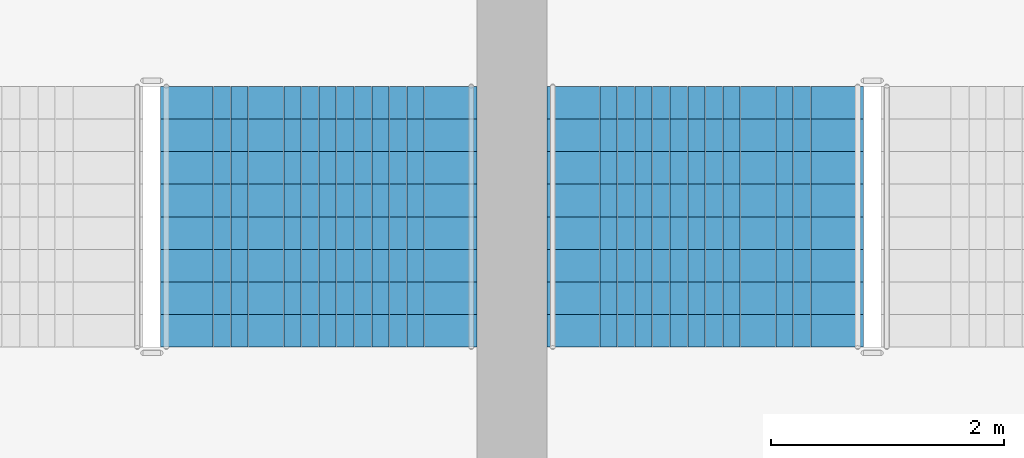
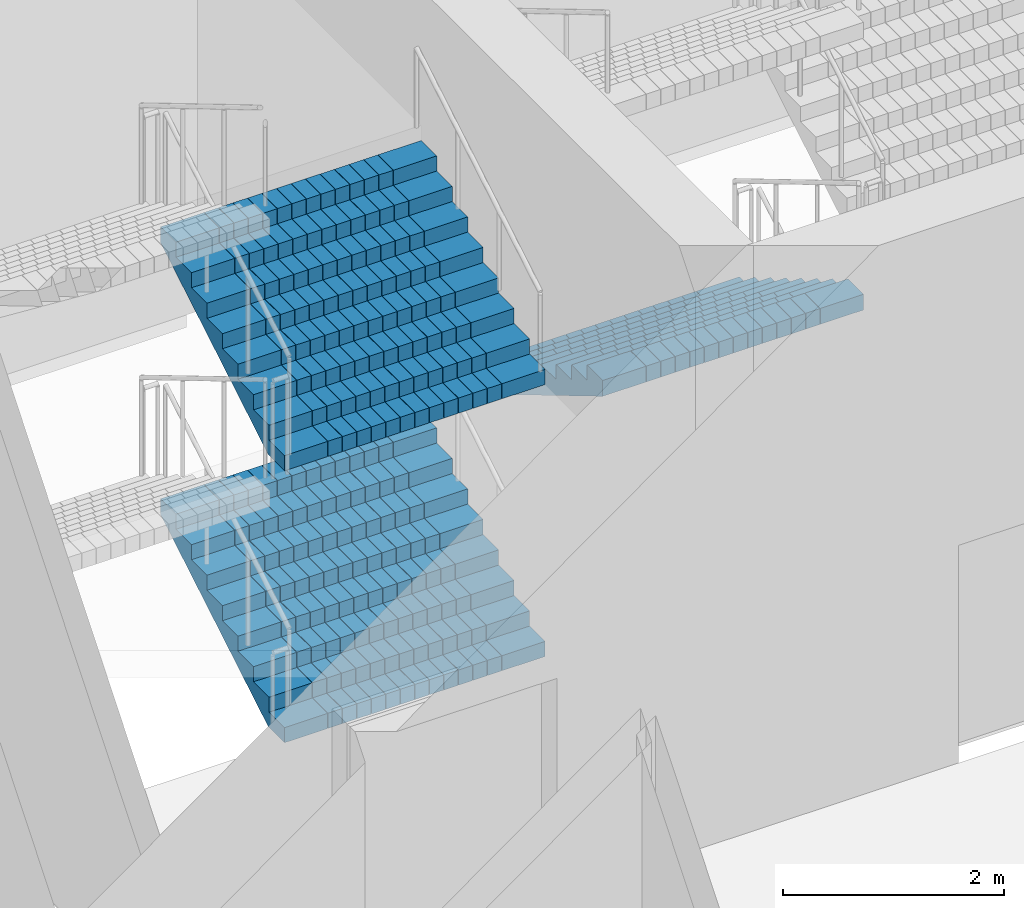
# One storey, part 27 of 41: 3 stair flights, 2 elements without a shape of their own.
"""IFC4 building model written with IfcOpenShell, lengths in metres."""

import ifcopenshell
import ifcopenshell.guid

model = None  # the IFC model being written
_history = None  # IfcOwnerHistory: only IFC2X3 demands one
_inside = {}  # id of a spatial element -> (the spatial element, [elements in it])
_under = {}  # id of a project, library or spatial element -> (it, [spatial elements below it])
_declared = {}  # id of a project -> (the project, [libraries it declares])
_typed = {}  # id of a type object -> (the type object, [elements of that type])
_made_of = {}  # id of a material, layer set ... -> (it, [elements and type objects made of it])


def new_model(schema):
    """Start an empty IFC model of exactly this schema.

    Asked for "IFC4X3", IfcOpenShell would pick the latest addendum, in which some entities
    have other attributes; the version numbers below select the first issue.
    IFC2X3 requires an IfcOwnerHistory on every rooted entity: one is made here for all.
    """
    global model, _history
    if schema == "IFC4X3":
        model = ifcopenshell.file(schema_version=(4, 3, 0, 0))
    else:
        model = ifcopenshell.file(schema=schema)
    _inside.clear()
    _under.clear()
    _declared.clear()
    _typed.clear()
    _made_of.clear()
    _history = None
    if model.schema == "IFC2X3":
        org = make("IfcOrganization", Name="unknown")
        user = make(
            "IfcPersonAndOrganization",
            ThePerson=make("IfcPerson", FamilyName="unknown"),
            TheOrganization=org,
        )
        app = make(
            "IfcApplication",
            ApplicationDeveloper=org,
            Version="unknown",
            ApplicationFullName="unknown",
            ApplicationIdentifier="unknown",
        )
        _history = make(
            "IfcOwnerHistory",
            OwningUser=user,
            OwningApplication=app,
            ChangeAction="ADDED",
            CreationDate=0,
        )
    return model


def make(cls, **values):
    """One entity of the class cls with the attributes given. An attribute that is None is left unset."""
    return model.create_entity(
        cls, **{name: value for name, value in values.items() if value is not None}
    )


def rooted(cls, **values):
    """An entity with a GlobalId (a new one), such as an element, a storey or a relation."""
    return make(cls, GlobalId=ifcopenshell.guid.new(), OwnerHistory=_history, **values)


def si_unit(unit_type, name, prefix=None):
    """IfcSIUnit, for example si_unit("LENGTHUNIT", "METRE", prefix="MILLI")."""
    return make("IfcSIUnit", UnitType=unit_type, Prefix=prefix, Name=name)


def assignment(units):
    """IfcUnitAssignment: the units of a project."""
    return None if units is None else make("IfcUnitAssignment", Units=units)


def point(xyz):
    """IfcCartesianPoint."""
    return None if xyz is None else make("IfcCartesianPoint", Coordinates=xyz)


def direction(xyz):
    """IfcDirection."""
    return None if xyz is None else make("IfcDirection", DirectionRatios=xyz)


def frame(location, z_axis=None, x_axis=None):
    """IfcAxis2Placement3D, a coordinate frame: its origin and axes. An axis left out is left unset."""
    return make(
        "IfcAxis2Placement3D",
        Location=point(location),
        Axis=direction(z_axis),
        RefDirection=direction(x_axis),
    )


def origin():
    """The frame at (0, 0, 0) with its axes left unset."""
    return frame((0.0, 0.0, 0.0))


def place(relative_to, where):
    """IfcLocalPlacement: puts the frame where relative to a parent placement (None: the world)."""
    return make(
        "IfcLocalPlacement", PlacementRelTo=relative_to, RelativePlacement=where
    )


def context(
    kind, dimensions, precision=None, world=None, true_north=None, identifier=None
):
    """IfcGeometricRepresentationContext, for example the 3D "Model" context."""
    return make(
        "IfcGeometricRepresentationContext",
        ContextIdentifier=identifier,
        ContextType=kind,
        CoordinateSpaceDimension=dimensions,
        Precision=precision,
        WorldCoordinateSystem=world,
        TrueNorth=true_north,
    )


def subcontext(parent, identifier, kind, view, scale=None):
    """IfcGeometricRepresentationSubContext, for example "Body" below "Model"."""
    return make(
        "IfcGeometricRepresentationSubContext",
        ContextIdentifier=identifier,
        ContextType=kind,
        ParentContext=parent,
        TargetScale=scale,
        TargetView=view,
    )


def project(units=None, contexts=None):
    """IfcProject with its units and contexts."""
    return rooted(
        "IfcProject",
        Name="project",
        RepresentationContexts=contexts,
        UnitsInContext=assignment(units),
    )


def spatial(cls, under=None, at=None, **own):
    """A site, building, storey or space (cls), placed at a placement, below another one or the project."""
    s = rooted(cls, ObjectPlacement=at, **own)
    if under is not None:
        _under.setdefault(under.id(), (under, []))[1].append(s)
    return s


def polyline(points):
    """IfcPolyline through the points."""
    return make("IfcPolyline", Points=[point(p) for p in points])


def outline(outer, holes=None, kind="AREA"):
    """IfcArbitraryClosedProfileDef: a profile drawn as a closed curve; with holes, ...WithVoids."""
    if holes is None:
        return make("IfcArbitraryClosedProfileDef", ProfileType=kind, OuterCurve=outer)
    return make(
        "IfcArbitraryProfileDefWithVoids",
        ProfileType=kind,
        OuterCurve=outer,
        InnerCurves=holes,
    )


def extrude(swept, where, along, depth):
    """IfcExtrudedAreaSolid: the profile swept, set in the frame where, extruded along a direction by depth."""
    return make(
        "IfcExtrudedAreaSolid",
        SweptArea=swept,
        Position=where,
        ExtrudedDirection=direction(along),
        Depth=depth,
    )


def shape(context_of_items, identifier, shape_type, items):
    """IfcShapeRepresentation: the items that make up one representation, for example the "Body"."""
    return make(
        "IfcShapeRepresentation",
        ContextOfItems=context_of_items,
        RepresentationIdentifier=identifier,
        RepresentationType=shape_type,
        Items=items,
    )


def material(Name=None, Category=None):
    """IfcMaterial."""
    return make("IfcMaterial", Name=Name, Category=Category)


def made_of(thing, what):
    """Note that an element or type object is made of a material, layer set ...; save() writes the relation."""
    if what is not None:
        _made_of.setdefault(what.id(), (what, []))[1].append(thing)
    return thing


def type_object(cls, material=None, **own):
    """A type object (cls), such as IfcWallType, which elements share."""
    return made_of(rooted(cls, **own), material)


def element(
    cls,
    number,
    at=None,
    inside=None,
    cuts=None,
    type_object=None,
    material=None,
    context=None,
    identifier="Body",
    shape_type=None,
    held_by="IfcProductDefinitionShape",
    body=None,
    shapes=None,
    **own,
):
    """One element of the class cls, such as IfcWall. Its Tag is "e" and its number.

    at: its placement. inside: the storey or other place that contains it. cuts: it is an
    opening in that element (IfcRelVoidsElement). A single representation is given by context,
    identifier, shape_type and body (its items); several are given by shapes. held_by: the class
    of the entity that holds the representations. save() writes the other relations.
    """
    e = rooted(cls, Tag="e%d" % number, ObjectPlacement=at, **own)
    if body is not None:
        shapes = [shape(context, identifier, shape_type, body)]
    if shapes is not None:
        e.Representation = make(held_by, Representations=shapes)
    if inside is not None:
        _inside.setdefault(inside.id(), (inside, []))[1].append(e)
    if cuts is not None:
        rooted(
            "IfcRelVoidsElement", RelatingBuildingElement=cuts, RelatedOpeningElement=e
        )
    if type_object is not None:
        _typed.setdefault(type_object.id(), (type_object, []))[1].append(e)
    return made_of(e, material)


def aggregate(whole, parts):
    """IfcRelAggregates: a whole, such as a stair, and the parts it consists of."""
    return rooted("IfcRelAggregates", RelatingObject=whole, RelatedObjects=parts)


def save(model, path):
    """Write the relations noted so far, then the file.

    IfcRelAggregates (storeys below a building ...), IfcRelContainedInSpatialStructure (elements
    in a storey), IfcRelDefinesByType, IfcRelAssociatesMaterial and IfcRelDeclares: one each for
    every whole, place, type object, material and project.
    """
    for whole, parts in _under.values():
        aggregate(whole, parts)
    for where, things in _inside.values():
        rooted(
            "IfcRelContainedInSpatialStructure",
            RelatedElements=things,
            RelatingStructure=where,
        )
    for kind, things in _typed.values():
        rooted("IfcRelDefinesByType", RelatedObjects=things, RelatingType=kind)
    for what, things in _made_of.values():
        rooted("IfcRelAssociatesMaterial", RelatedObjects=things, RelatingMaterial=what)
    for by, libraries in _declared.values():
        rooted("IfcRelDeclares", RelatingContext=by, RelatedDefinitions=libraries)
    model.write(path)


model = new_model("IFC4")

# Units and contexts
model_context = context("Model", 3, precision=1e-05, world=origin(), true_north=direction((0.0, 1.0)))
body_context = subcontext(model_context, "Body", "Model", "MODEL_VIEW")
ifc_project = project(units=[si_unit("LENGTHUNIT", "METRE"), si_unit("AREAUNIT", "SQUARE_METRE"), si_unit("VOLUMEUNIT", "CUBIC_METRE"), si_unit("PLANEANGLEUNIT", "RADIAN"), si_unit("MASSUNIT", "GRAM", prefix="KILO")], contexts=[model_context])

# Site, building, storey
site_placement = place(None, origin())
site = spatial("IfcSite", under=ifc_project, at=site_placement, CompositionType="ELEMENT")
building_placement = place(site_placement, origin())
building = spatial("IfcBuilding", under=site, at=building_placement, Name="Corbelhall Arena Tower", CompositionType="ELEMENT")
storey_placement = place(building_placement, frame((0.0, 0.0, 19.0)))
storey = spatial("IfcBuildingStorey", under=building, at=storey_placement, Name="L02", CompositionType="ELEMENT", Elevation=19.0)

# Stair, stair flight
ifc_material = material(Name="Reinforced concrete C40/50", Category="concrete")
stair_type = type_object("IfcStairType", Name="AR-EXIT-STAIR", PredefinedType="HALF_TURN_STAIR", material=ifc_material)
stair_1_placement = place(storey_placement, origin())
stair_1 = element("IfcStair", 1, at=stair_1_placement, inside=storey, type_object=stair_type, Name="L02 exit stair AS3", PredefinedType="HALF_TURN_STAIR")
stair_flight_type = type_object("IfcStairFlightType", Name="AR-EXIT-FLIGHT", PredefinedType="STRAIGHT", material=ifc_material)
stair_flight_1_placement = place(storey_placement, frame((-38.840087890625, 29.56005859375, 1.5), z_axis=(0.0, 0.0, 1.0), x_axis=(0.0, -1.0, 0.0)))
stair_flight_1 = element("IfcStairFlight", 2, at=stair_flight_1_placement, type_object=stair_flight_type, Name="AS3 flight 2", NumberOfRisers=9, NumberOfTreads=8, PredefinedType="STRAIGHT", RiserHeight=0.166666667, TreadLength=0.28, context=body_context, shape_type="SweptSolid", body=[
    extrude(outline(polyline([(0.0, 0.0), (0.0, 0.166748046875), (0.280029296875, 0.166748046875), (0.280029296875, 0.333251953125), (0.56005859375, 0.333251953125), (0.56005859375, 0.5), (0.840087890625, 0.5), (0.840087890625, 0.666748046875), (1.1201171875, 0.666748046875), (1.1201171875, 0.833251953125), (1.39990234375, 0.833251953125), (1.39990234375, 1.0), (1.679931640625, 1.0), (1.679931640625, 1.166748046875), (1.9599609375, 1.166748046875), (1.9599609375, 1.333251953125), (2.239990234375, 1.333251953125), (2.239990234375, 1.5), (2.239990234375, 1.158935546875), (0.29296875, 0.0), (0.0, 0.0)])), frame((0.0, 1.35986328125, 0.0), z_axis=(0.0, -1.0, 0.0), x_axis=(1.0, 0.0, 0.0)), (0.0, 0.0, 1.0), 0.449951171875),
    extrude(outline(polyline([(0.0, 0.0), (0.0, 0.166748046875), (0.280029296875, 0.166748046875), (0.280029296875, 0.333251953125), (0.56005859375, 0.333251953125), (0.56005859375, 0.5), (0.840087890625, 0.5), (0.840087890625, 0.666748046875), (1.1201171875, 0.666748046875), (1.1201171875, 0.833251953125), (1.39990234375, 0.833251953125), (1.39990234375, 1.0), (1.679931640625, 1.0), (1.679931640625, 1.166748046875), (1.9599609375, 1.166748046875), (1.9599609375, 1.333251953125), (2.239990234375, 1.333251953125), (2.239990234375, 1.5), (2.239990234375, 1.158935546875), (0.29296875, 0.0), (0.0, 0.0)])), frame((0.0, 0.906005859375, 0.0), z_axis=(0.0, -1.0, 0.0), x_axis=(1.0, 0.0, 0.0)), (0.0, 0.0, 1.0), 0.147216796875),
    extrude(outline(polyline([(0.0, 0.0), (0.0, 0.166748046875), (0.280029296875, 0.166748046875), (0.280029296875, 0.333251953125), (0.56005859375, 0.333251953125), (0.56005859375, 0.5), (0.840087890625, 0.5), (0.840087890625, 0.666748046875), (1.1201171875, 0.666748046875), (1.1201171875, 0.833251953125), (1.39990234375, 0.833251953125), (1.39990234375, 1.0), (1.679931640625, 1.0), (1.679931640625, 1.166748046875), (1.9599609375, 1.166748046875), (1.9599609375, 1.333251953125), (2.239990234375, 1.333251953125), (2.239990234375, 1.5), (2.239990234375, 1.158935546875), (0.29296875, 0.0), (0.0, 0.0)])), frame((0.0, 0.754638671875, 0.0), z_axis=(0.0, -1.0, 0.0), x_axis=(1.0, 0.0, 0.0)), (0.0, 0.0, 1.0), 0.147216796875),
    extrude(outline(polyline([(0.0, 0.0), (0.0, 0.166748046875), (0.280029296875, 0.166748046875), (0.280029296875, 0.333251953125), (0.56005859375, 0.333251953125), (0.56005859375, 0.5), (0.840087890625, 0.5), (0.840087890625, 0.666748046875), (1.1201171875, 0.666748046875), (1.1201171875, 0.833251953125), (1.39990234375, 0.833251953125), (1.39990234375, 1.0), (1.679931640625, 1.0), (1.679931640625, 1.166748046875), (1.9599609375, 1.166748046875), (1.9599609375, 1.333251953125), (2.239990234375, 1.333251953125), (2.239990234375, 1.5), (2.239990234375, 1.158935546875), (0.29296875, 0.0), (0.0, 0.0)])), frame((0.0, 0.603271484375, 0.0), z_axis=(0.0, -1.0, 0.0), x_axis=(1.0, 0.0, 0.0)), (0.0, 0.0, 1.0), 0.147216796875),
    extrude(outline(polyline([(0.0, 0.0), (0.0, 0.166748046875), (0.280029296875, 0.166748046875), (0.280029296875, 0.333251953125), (0.56005859375, 0.333251953125), (0.56005859375, 0.5), (0.840087890625, 0.5), (0.840087890625, 0.666748046875), (1.1201171875, 0.666748046875), (1.1201171875, 0.833251953125), (1.39990234375, 0.833251953125), (1.39990234375, 1.0), (1.679931640625, 1.0), (1.679931640625, 1.166748046875), (1.9599609375, 1.166748046875), (1.9599609375, 1.333251953125), (2.239990234375, 1.333251953125), (2.239990234375, 1.5), (2.239990234375, 1.158935546875), (0.29296875, 0.0), (0.0, 0.0)])), frame((0.0, 0.451904296875, 0.0), z_axis=(0.0, -1.0, 0.0), x_axis=(1.0, 0.0, 0.0)), (0.0, 0.0, 1.0), 0.147216796875),
    extrude(outline(polyline([(0.0, 0.0), (0.0, 0.166748046875), (0.280029296875, 0.166748046875), (0.280029296875, 0.333251953125), (0.56005859375, 0.333251953125), (0.56005859375, 0.5), (0.840087890625, 0.5), (0.840087890625, 0.666748046875), (1.1201171875, 0.666748046875), (1.1201171875, 0.833251953125), (1.39990234375, 0.833251953125), (1.39990234375, 1.0), (1.679931640625, 1.0), (1.679931640625, 1.166748046875), (1.9599609375, 1.166748046875), (1.9599609375, 1.333251953125), (2.239990234375, 1.333251953125), (2.239990234375, 1.5), (2.239990234375, 1.158935546875), (0.29296875, 0.0), (0.0, 0.0)])), frame((0.0, 0.30078125, 0.0), z_axis=(0.0, -1.0, 0.0), x_axis=(1.0, 0.0, 0.0)), (0.0, 0.0, 1.0), 0.147216796875),
    extrude(outline(polyline([(0.0, 0.0), (0.0, 0.166748046875), (0.280029296875, 0.166748046875), (0.280029296875, 0.333251953125), (0.56005859375, 0.333251953125), (0.56005859375, 0.5), (0.840087890625, 0.5), (0.840087890625, 0.666748046875), (1.1201171875, 0.666748046875), (1.1201171875, 0.833251953125), (1.39990234375, 0.833251953125), (1.39990234375, 1.0), (1.679931640625, 1.0), (1.679931640625, 1.166748046875), (1.9599609375, 1.166748046875), (1.9599609375, 1.333251953125), (2.239990234375, 1.333251953125), (2.239990234375, 1.5), (2.239990234375, 1.158935546875), (0.29296875, 0.0), (0.0, 0.0)])), frame((0.0, 0.1494140625, 0.0), z_axis=(0.0, -1.0, 0.0), x_axis=(1.0, 0.0, 0.0)), (0.0, 0.0, 1.0), 0.147216796875),
    extrude(outline(polyline([(0.0, 0.0), (0.0, 0.166748046875), (0.280029296875, 0.166748046875), (0.280029296875, 0.333251953125), (0.56005859375, 0.333251953125), (0.56005859375, 0.5), (0.840087890625, 0.5), (0.840087890625, 0.666748046875), (1.1201171875, 0.666748046875), (1.1201171875, 0.833251953125), (1.39990234375, 0.833251953125), (1.39990234375, 1.0), (1.679931640625, 1.0), (1.679931640625, 1.166748046875), (1.9599609375, 1.166748046875), (1.9599609375, 1.333251953125), (2.239990234375, 1.333251953125), (2.239990234375, 1.5), (2.239990234375, 1.158935546875), (0.29296875, 0.0), (0.0, 0.0)])), frame((0.0, -0.001953125, 0.0), z_axis=(0.0, -1.0, 0.0), x_axis=(1.0, 0.0, 0.0)), (0.0, 0.0, 1.0), 0.147216796875),
    extrude(outline(polyline([(0.0, 0.0), (0.0, 0.166748046875), (0.280029296875, 0.166748046875), (0.280029296875, 0.333251953125), (0.56005859375, 0.333251953125), (0.56005859375, 0.5), (0.840087890625, 0.5), (0.840087890625, 0.666748046875), (1.1201171875, 0.666748046875), (1.1201171875, 0.833251953125), (1.39990234375, 0.833251953125), (1.39990234375, 1.0), (1.679931640625, 1.0), (1.679931640625, 1.166748046875), (1.9599609375, 1.166748046875), (1.9599609375, 1.333251953125), (2.239990234375, 1.333251953125), (2.239990234375, 1.5), (2.239990234375, 1.158935546875), (0.29296875, 0.0), (0.0, 0.0)])), frame((0.0, -0.1533203125, 0.0), z_axis=(0.0, -1.0, 0.0), x_axis=(1.0, 0.0, 0.0)), (0.0, 0.0, 1.0), 0.147216796875),
    extrude(outline(polyline([(0.0, 0.0), (0.0, 0.166748046875), (0.280029296875, 0.166748046875), (0.280029296875, 0.333251953125), (0.56005859375, 0.333251953125), (0.56005859375, 0.5), (0.840087890625, 0.5), (0.840087890625, 0.666748046875), (1.1201171875, 0.666748046875), (1.1201171875, 0.833251953125), (1.39990234375, 0.833251953125), (1.39990234375, 1.0), (1.679931640625, 1.0), (1.679931640625, 1.166748046875), (1.9599609375, 1.166748046875), (1.9599609375, 1.333251953125), (2.239990234375, 1.333251953125), (2.239990234375, 1.5), (2.239990234375, 1.158935546875), (0.29296875, 0.0), (0.0, 0.0)])), frame((0.0, -0.3046875, 0.0), z_axis=(0.0, -1.0, 0.0), x_axis=(1.0, 0.0, 0.0)), (0.0, 0.0, 1.0), 0.147216796875),
    extrude(outline(polyline([(0.0, 0.0), (0.0, 0.166748046875), (0.280029296875, 0.166748046875), (0.280029296875, 0.333251953125), (0.56005859375, 0.333251953125), (0.56005859375, 0.5), (0.840087890625, 0.5), (0.840087890625, 0.666748046875), (1.1201171875, 0.666748046875), (1.1201171875, 0.833251953125), (1.39990234375, 0.833251953125), (1.39990234375, 1.0), (1.679931640625, 1.0), (1.679931640625, 1.166748046875), (1.9599609375, 1.166748046875), (1.9599609375, 1.333251953125), (2.239990234375, 1.333251953125), (2.239990234375, 1.5), (2.239990234375, 1.158935546875), (0.29296875, 0.0), (0.0, 0.0)])), frame((0.0, -0.4560546875, 0.0), z_axis=(0.0, -1.0, 0.0), x_axis=(1.0, 0.0, 0.0)), (0.0, 0.0, 1.0), 0.147216796875),
    extrude(outline(polyline([(0.0, 0.0), (0.0, 0.166748046875), (0.280029296875, 0.166748046875), (0.280029296875, 0.333251953125), (0.56005859375, 0.333251953125), (0.56005859375, 0.5), (0.840087890625, 0.5), (0.840087890625, 0.666748046875), (1.1201171875, 0.666748046875), (1.1201171875, 0.833251953125), (1.39990234375, 0.833251953125), (1.39990234375, 1.0), (1.679931640625, 1.0), (1.679931640625, 1.166748046875), (1.9599609375, 1.166748046875), (1.9599609375, 1.333251953125), (2.239990234375, 1.333251953125), (2.239990234375, 1.5), (2.239990234375, 1.158935546875), (0.29296875, 0.0), (0.0, 0.0)])), frame((0.0, -0.607421875, 0.0), z_axis=(0.0, -1.0, 0.0), x_axis=(1.0, 0.0, 0.0)), (0.0, 0.0, 1.0), 0.147216796875),
    extrude(outline(polyline([(0.0, 0.0), (0.0, 0.166748046875), (0.280029296875, 0.166748046875), (0.280029296875, 0.333251953125), (0.56005859375, 0.333251953125), (0.56005859375, 0.5), (0.840087890625, 0.5), (0.840087890625, 0.666748046875), (1.1201171875, 0.666748046875), (1.1201171875, 0.833251953125), (1.39990234375, 0.833251953125), (1.39990234375, 1.0), (1.679931640625, 1.0), (1.679931640625, 1.166748046875), (1.9599609375, 1.166748046875), (1.9599609375, 1.333251953125), (2.239990234375, 1.333251953125), (2.239990234375, 1.5), (2.239990234375, 1.158935546875), (0.29296875, 0.0), (0.0, 0.0)])), frame((0.0, -0.758544921875, 0.0), z_axis=(0.0, -1.0, 0.0), x_axis=(1.0, 0.0, 0.0)), (0.0, 0.0, 1.0), 0.147216796875),
    extrude(outline(polyline([(0.0, 0.0), (0.0, 0.166748046875), (0.280029296875, 0.166748046875), (0.280029296875, 0.333251953125), (0.56005859375, 0.333251953125), (0.56005859375, 0.5), (0.840087890625, 0.5), (0.840087890625, 0.666748046875), (1.1201171875, 0.666748046875), (1.1201171875, 0.833251953125), (1.39990234375, 0.833251953125), (1.39990234375, 1.0), (1.679931640625, 1.0), (1.679931640625, 1.166748046875), (1.9599609375, 1.166748046875), (1.9599609375, 1.333251953125), (2.239990234375, 1.333251953125), (2.239990234375, 1.5), (2.239990234375, 1.158935546875), (0.29296875, 0.0), (0.0, 0.0)])), frame((0.0, -0.909912109375, 0.0), z_axis=(0.0, -1.0, 0.0), x_axis=(1.0, 0.0, 0.0)), (0.0, 0.0, 1.0), 0.449951171875),
])
aggregate(stair_1, [stair_flight_1])

# Stair, stair flights
stair_2_placement = place(storey_placement, origin())
stair_2 = element("IfcStair", 3, at=stair_2_placement, inside=storey, type_object=stair_type, Name="L02 exit stair AS4", PredefinedType="HALF_TURN_STAIR")
stair_flight_2_placement = place(storey_placement, frame((-42.159912109375, 27.320068359375, 0.0), z_axis=(0.0, 0.0, 1.0), x_axis=(0.0, 1.0, 0.0)))
stair_flight_2 = element("IfcStairFlight", 4, at=stair_flight_2_placement, type_object=stair_flight_type, Name="AS4 flight 1", NumberOfRisers=9, NumberOfTreads=8, PredefinedType="STRAIGHT", RiserHeight=0.166666667, TreadLength=0.28, context=body_context, shape_type="SweptSolid", body=[
    extrude(outline(polyline([(0.0, 0.0), (0.0, 0.166748046875), (0.280029296875, 0.166748046875), (0.280029296875, 0.333251953125), (0.56005859375, 0.333251953125), (0.56005859375, 0.5), (0.840087890625, 0.5), (0.840087890625, 0.666748046875), (1.1201171875, 0.666748046875), (1.1201171875, 0.833251953125), (1.39990234375, 0.833251953125), (1.39990234375, 1.0), (1.679931640625, 1.0), (1.679931640625, 1.166748046875), (1.9599609375, 1.166748046875), (1.9599609375, 1.333251953125), (2.239990234375, 1.333251953125), (2.239990234375, 1.5), (2.239990234375, 1.158935546875), (0.29296875, 0.0), (0.0, 0.0)])), frame((0.0, 1.35986328125, 0.0), z_axis=(0.0, -1.0, 0.0), x_axis=(1.0, 0.0, 0.0)), (0.0, 0.0, 1.0), 0.449951171875),
    extrude(outline(polyline([(0.0, 0.0), (0.0, 0.166748046875), (0.280029296875, 0.166748046875), (0.280029296875, 0.333251953125), (0.56005859375, 0.333251953125), (0.56005859375, 0.5), (0.840087890625, 0.5), (0.840087890625, 0.666748046875), (1.1201171875, 0.666748046875), (1.1201171875, 0.833251953125), (1.39990234375, 0.833251953125), (1.39990234375, 1.0), (1.679931640625, 1.0), (1.679931640625, 1.166748046875), (1.9599609375, 1.166748046875), (1.9599609375, 1.333251953125), (2.239990234375, 1.333251953125), (2.239990234375, 1.5), (2.239990234375, 1.158935546875), (0.29296875, 0.0), (0.0, 0.0)])), frame((0.0, 0.906005859375, 0.0), z_axis=(0.0, -1.0, 0.0), x_axis=(1.0, 0.0, 0.0)), (0.0, 0.0, 1.0), 0.147216796875),
    extrude(outline(polyline([(0.0, 0.0), (0.0, 0.166748046875), (0.280029296875, 0.166748046875), (0.280029296875, 0.333251953125), (0.56005859375, 0.333251953125), (0.56005859375, 0.5), (0.840087890625, 0.5), (0.840087890625, 0.666748046875), (1.1201171875, 0.666748046875), (1.1201171875, 0.833251953125), (1.39990234375, 0.833251953125), (1.39990234375, 1.0), (1.679931640625, 1.0), (1.679931640625, 1.166748046875), (1.9599609375, 1.166748046875), (1.9599609375, 1.333251953125), (2.239990234375, 1.333251953125), (2.239990234375, 1.5), (2.239990234375, 1.158935546875), (0.29296875, 0.0), (0.0, 0.0)])), frame((0.0, 0.754638671875, 0.0), z_axis=(0.0, -1.0, 0.0), x_axis=(1.0, 0.0, 0.0)), (0.0, 0.0, 1.0), 0.147216796875),
    extrude(outline(polyline([(0.0, 0.0), (0.0, 0.166748046875), (0.280029296875, 0.166748046875), (0.280029296875, 0.333251953125), (0.56005859375, 0.333251953125), (0.56005859375, 0.5), (0.840087890625, 0.5), (0.840087890625, 0.666748046875), (1.1201171875, 0.666748046875), (1.1201171875, 0.833251953125), (1.39990234375, 0.833251953125), (1.39990234375, 1.0), (1.679931640625, 1.0), (1.679931640625, 1.166748046875), (1.9599609375, 1.166748046875), (1.9599609375, 1.333251953125), (2.239990234375, 1.333251953125), (2.239990234375, 1.5), (2.239990234375, 1.158935546875), (0.29296875, 0.0), (0.0, 0.0)])), frame((0.0, 0.603271484375, 0.0), z_axis=(0.0, -1.0, 0.0), x_axis=(1.0, 0.0, 0.0)), (0.0, 0.0, 1.0), 0.147216796875),
    extrude(outline(polyline([(0.0, 0.0), (0.0, 0.166748046875), (0.280029296875, 0.166748046875), (0.280029296875, 0.333251953125), (0.56005859375, 0.333251953125), (0.56005859375, 0.5), (0.840087890625, 0.5), (0.840087890625, 0.666748046875), (1.1201171875, 0.666748046875), (1.1201171875, 0.833251953125), (1.39990234375, 0.833251953125), (1.39990234375, 1.0), (1.679931640625, 1.0), (1.679931640625, 1.166748046875), (1.9599609375, 1.166748046875), (1.9599609375, 1.333251953125), (2.239990234375, 1.333251953125), (2.239990234375, 1.5), (2.239990234375, 1.158935546875), (0.29296875, 0.0), (0.0, 0.0)])), frame((0.0, 0.451904296875, 0.0), z_axis=(0.0, -1.0, 0.0), x_axis=(1.0, 0.0, 0.0)), (0.0, 0.0, 1.0), 0.147216796875),
    extrude(outline(polyline([(0.0, 0.0), (0.0, 0.166748046875), (0.280029296875, 0.166748046875), (0.280029296875, 0.333251953125), (0.56005859375, 0.333251953125), (0.56005859375, 0.5), (0.840087890625, 0.5), (0.840087890625, 0.666748046875), (1.1201171875, 0.666748046875), (1.1201171875, 0.833251953125), (1.39990234375, 0.833251953125), (1.39990234375, 1.0), (1.679931640625, 1.0), (1.679931640625, 1.166748046875), (1.9599609375, 1.166748046875), (1.9599609375, 1.333251953125), (2.239990234375, 1.333251953125), (2.239990234375, 1.5), (2.239990234375, 1.158935546875), (0.29296875, 0.0), (0.0, 0.0)])), frame((0.0, 0.30078125, 0.0), z_axis=(0.0, -1.0, 0.0), x_axis=(1.0, 0.0, 0.0)), (0.0, 0.0, 1.0), 0.147216796875),
    extrude(outline(polyline([(0.0, 0.0), (0.0, 0.166748046875), (0.280029296875, 0.166748046875), (0.280029296875, 0.333251953125), (0.56005859375, 0.333251953125), (0.56005859375, 0.5), (0.840087890625, 0.5), (0.840087890625, 0.666748046875), (1.1201171875, 0.666748046875), (1.1201171875, 0.833251953125), (1.39990234375, 0.833251953125), (1.39990234375, 1.0), (1.679931640625, 1.0), (1.679931640625, 1.166748046875), (1.9599609375, 1.166748046875), (1.9599609375, 1.333251953125), (2.239990234375, 1.333251953125), (2.239990234375, 1.5), (2.239990234375, 1.158935546875), (0.29296875, 0.0), (0.0, 0.0)])), frame((0.0, 0.1494140625, 0.0), z_axis=(0.0, -1.0, 0.0), x_axis=(1.0, 0.0, 0.0)), (0.0, 0.0, 1.0), 0.147216796875),
    extrude(outline(polyline([(0.0, 0.0), (0.0, 0.166748046875), (0.280029296875, 0.166748046875), (0.280029296875, 0.333251953125), (0.56005859375, 0.333251953125), (0.56005859375, 0.5), (0.840087890625, 0.5), (0.840087890625, 0.666748046875), (1.1201171875, 0.666748046875), (1.1201171875, 0.833251953125), (1.39990234375, 0.833251953125), (1.39990234375, 1.0), (1.679931640625, 1.0), (1.679931640625, 1.166748046875), (1.9599609375, 1.166748046875), (1.9599609375, 1.333251953125), (2.239990234375, 1.333251953125), (2.239990234375, 1.5), (2.239990234375, 1.158935546875), (0.29296875, 0.0), (0.0, 0.0)])), frame((0.0, -0.001953125, 0.0), z_axis=(0.0, -1.0, 0.0), x_axis=(1.0, 0.0, 0.0)), (0.0, 0.0, 1.0), 0.147216796875),
    extrude(outline(polyline([(0.0, 0.0), (0.0, 0.166748046875), (0.280029296875, 0.166748046875), (0.280029296875, 0.333251953125), (0.56005859375, 0.333251953125), (0.56005859375, 0.5), (0.840087890625, 0.5), (0.840087890625, 0.666748046875), (1.1201171875, 0.666748046875), (1.1201171875, 0.833251953125), (1.39990234375, 0.833251953125), (1.39990234375, 1.0), (1.679931640625, 1.0), (1.679931640625, 1.166748046875), (1.9599609375, 1.166748046875), (1.9599609375, 1.333251953125), (2.239990234375, 1.333251953125), (2.239990234375, 1.5), (2.239990234375, 1.158935546875), (0.29296875, 0.0), (0.0, 0.0)])), frame((0.0, -0.1533203125, 0.0), z_axis=(0.0, -1.0, 0.0), x_axis=(1.0, 0.0, 0.0)), (0.0, 0.0, 1.0), 0.147216796875),
    extrude(outline(polyline([(0.0, 0.0), (0.0, 0.166748046875), (0.280029296875, 0.166748046875), (0.280029296875, 0.333251953125), (0.56005859375, 0.333251953125), (0.56005859375, 0.5), (0.840087890625, 0.5), (0.840087890625, 0.666748046875), (1.1201171875, 0.666748046875), (1.1201171875, 0.833251953125), (1.39990234375, 0.833251953125), (1.39990234375, 1.0), (1.679931640625, 1.0), (1.679931640625, 1.166748046875), (1.9599609375, 1.166748046875), (1.9599609375, 1.333251953125), (2.239990234375, 1.333251953125), (2.239990234375, 1.5), (2.239990234375, 1.158935546875), (0.29296875, 0.0), (0.0, 0.0)])), frame((0.0, -0.3046875, 0.0), z_axis=(0.0, -1.0, 0.0), x_axis=(1.0, 0.0, 0.0)), (0.0, 0.0, 1.0), 0.147216796875),
    extrude(outline(polyline([(0.0, 0.0), (0.0, 0.166748046875), (0.280029296875, 0.166748046875), (0.280029296875, 0.333251953125), (0.56005859375, 0.333251953125), (0.56005859375, 0.5), (0.840087890625, 0.5), (0.840087890625, 0.666748046875), (1.1201171875, 0.666748046875), (1.1201171875, 0.833251953125), (1.39990234375, 0.833251953125), (1.39990234375, 1.0), (1.679931640625, 1.0), (1.679931640625, 1.166748046875), (1.9599609375, 1.166748046875), (1.9599609375, 1.333251953125), (2.239990234375, 1.333251953125), (2.239990234375, 1.5), (2.239990234375, 1.158935546875), (0.29296875, 0.0), (0.0, 0.0)])), frame((0.0, -0.4560546875, 0.0), z_axis=(0.0, -1.0, 0.0), x_axis=(1.0, 0.0, 0.0)), (0.0, 0.0, 1.0), 0.147216796875),
    extrude(outline(polyline([(0.0, 0.0), (0.0, 0.166748046875), (0.280029296875, 0.166748046875), (0.280029296875, 0.333251953125), (0.56005859375, 0.333251953125), (0.56005859375, 0.5), (0.840087890625, 0.5), (0.840087890625, 0.666748046875), (1.1201171875, 0.666748046875), (1.1201171875, 0.833251953125), (1.39990234375, 0.833251953125), (1.39990234375, 1.0), (1.679931640625, 1.0), (1.679931640625, 1.166748046875), (1.9599609375, 1.166748046875), (1.9599609375, 1.333251953125), (2.239990234375, 1.333251953125), (2.239990234375, 1.5), (2.239990234375, 1.158935546875), (0.29296875, 0.0), (0.0, 0.0)])), frame((0.0, -0.607421875, 0.0), z_axis=(0.0, -1.0, 0.0), x_axis=(1.0, 0.0, 0.0)), (0.0, 0.0, 1.0), 0.147216796875),
    extrude(outline(polyline([(0.0, 0.0), (0.0, 0.166748046875), (0.280029296875, 0.166748046875), (0.280029296875, 0.333251953125), (0.56005859375, 0.333251953125), (0.56005859375, 0.5), (0.840087890625, 0.5), (0.840087890625, 0.666748046875), (1.1201171875, 0.666748046875), (1.1201171875, 0.833251953125), (1.39990234375, 0.833251953125), (1.39990234375, 1.0), (1.679931640625, 1.0), (1.679931640625, 1.166748046875), (1.9599609375, 1.166748046875), (1.9599609375, 1.333251953125), (2.239990234375, 1.333251953125), (2.239990234375, 1.5), (2.239990234375, 1.158935546875), (0.29296875, 0.0), (0.0, 0.0)])), frame((0.0, -0.758544921875, 0.0), z_axis=(0.0, -1.0, 0.0), x_axis=(1.0, 0.0, 0.0)), (0.0, 0.0, 1.0), 0.147216796875),
    extrude(outline(polyline([(0.0, 0.0), (0.0, 0.166748046875), (0.280029296875, 0.166748046875), (0.280029296875, 0.333251953125), (0.56005859375, 0.333251953125), (0.56005859375, 0.5), (0.840087890625, 0.5), (0.840087890625, 0.666748046875), (1.1201171875, 0.666748046875), (1.1201171875, 0.833251953125), (1.39990234375, 0.833251953125), (1.39990234375, 1.0), (1.679931640625, 1.0), (1.679931640625, 1.166748046875), (1.9599609375, 1.166748046875), (1.9599609375, 1.333251953125), (2.239990234375, 1.333251953125), (2.239990234375, 1.5), (2.239990234375, 1.158935546875), (0.29296875, 0.0), (0.0, 0.0)])), frame((0.0, -0.909912109375, 0.0), z_axis=(0.0, -1.0, 0.0), x_axis=(1.0, 0.0, 0.0)), (0.0, 0.0, 1.0), 0.449951171875),
])
stair_flight_3_placement = place(storey_placement, frame((-42.159912109375, 27.320068359375, 3.0), z_axis=(0.0, 0.0, 1.0), x_axis=(0.0, 1.0, 0.0)))
stair_flight_3 = element("IfcStairFlight", 5, at=stair_flight_3_placement, type_object=stair_flight_type, Name="AS4 flight 3", NumberOfRisers=9, NumberOfTreads=8, PredefinedType="STRAIGHT", RiserHeight=0.166666667, TreadLength=0.28, context=body_context, shape_type="SweptSolid", body=[
    extrude(outline(polyline([(0.0, 0.0), (0.0, 0.166748046875), (0.280029296875, 0.166748046875), (0.280029296875, 0.333251953125), (0.56005859375, 0.333251953125), (0.56005859375, 0.5), (0.840087890625, 0.5), (0.840087890625, 0.666748046875), (1.1201171875, 0.666748046875), (1.1201171875, 0.833251953125), (1.39990234375, 0.833251953125), (1.39990234375, 1.0), (1.679931640625, 1.0), (1.679931640625, 1.166748046875), (1.9599609375, 1.166748046875), (1.9599609375, 1.333251953125), (2.239990234375, 1.333251953125), (2.239990234375, 1.5), (2.239990234375, 1.158935546875), (0.29296875, 0.0), (0.0, 0.0)])), frame((0.0, 1.35986328125, 0.0), z_axis=(0.0, -1.0, 0.0), x_axis=(1.0, 0.0, 0.0)), (0.0, 0.0, 1.0), 0.449951171875),
    extrude(outline(polyline([(0.0, 0.0), (0.0, 0.166748046875), (0.280029296875, 0.166748046875), (0.280029296875, 0.333251953125), (0.56005859375, 0.333251953125), (0.56005859375, 0.5), (0.840087890625, 0.5), (0.840087890625, 0.666748046875), (1.1201171875, 0.666748046875), (1.1201171875, 0.833251953125), (1.39990234375, 0.833251953125), (1.39990234375, 1.0), (1.679931640625, 1.0), (1.679931640625, 1.166748046875), (1.9599609375, 1.166748046875), (1.9599609375, 1.333251953125), (2.239990234375, 1.333251953125), (2.239990234375, 1.5), (2.239990234375, 1.158935546875), (0.29296875, 0.0), (0.0, 0.0)])), frame((0.0, 0.906005859375, 0.0), z_axis=(0.0, -1.0, 0.0), x_axis=(1.0, 0.0, 0.0)), (0.0, 0.0, 1.0), 0.147216796875),
    extrude(outline(polyline([(0.0, 0.0), (0.0, 0.166748046875), (0.280029296875, 0.166748046875), (0.280029296875, 0.333251953125), (0.56005859375, 0.333251953125), (0.56005859375, 0.5), (0.840087890625, 0.5), (0.840087890625, 0.666748046875), (1.1201171875, 0.666748046875), (1.1201171875, 0.833251953125), (1.39990234375, 0.833251953125), (1.39990234375, 1.0), (1.679931640625, 1.0), (1.679931640625, 1.166748046875), (1.9599609375, 1.166748046875), (1.9599609375, 1.333251953125), (2.239990234375, 1.333251953125), (2.239990234375, 1.5), (2.239990234375, 1.158935546875), (0.29296875, 0.0), (0.0, 0.0)])), frame((0.0, 0.754638671875, 0.0), z_axis=(0.0, -1.0, 0.0), x_axis=(1.0, 0.0, 0.0)), (0.0, 0.0, 1.0), 0.147216796875),
    extrude(outline(polyline([(0.0, 0.0), (0.0, 0.166748046875), (0.280029296875, 0.166748046875), (0.280029296875, 0.333251953125), (0.56005859375, 0.333251953125), (0.56005859375, 0.5), (0.840087890625, 0.5), (0.840087890625, 0.666748046875), (1.1201171875, 0.666748046875), (1.1201171875, 0.833251953125), (1.39990234375, 0.833251953125), (1.39990234375, 1.0), (1.679931640625, 1.0), (1.679931640625, 1.166748046875), (1.9599609375, 1.166748046875), (1.9599609375, 1.333251953125), (2.239990234375, 1.333251953125), (2.239990234375, 1.5), (2.239990234375, 1.158935546875), (0.29296875, 0.0), (0.0, 0.0)])), frame((0.0, 0.603271484375, 0.0), z_axis=(0.0, -1.0, 0.0), x_axis=(1.0, 0.0, 0.0)), (0.0, 0.0, 1.0), 0.147216796875),
    extrude(outline(polyline([(0.0, 0.0), (0.0, 0.166748046875), (0.280029296875, 0.166748046875), (0.280029296875, 0.333251953125), (0.56005859375, 0.333251953125), (0.56005859375, 0.5), (0.840087890625, 0.5), (0.840087890625, 0.666748046875), (1.1201171875, 0.666748046875), (1.1201171875, 0.833251953125), (1.39990234375, 0.833251953125), (1.39990234375, 1.0), (1.679931640625, 1.0), (1.679931640625, 1.166748046875), (1.9599609375, 1.166748046875), (1.9599609375, 1.333251953125), (2.239990234375, 1.333251953125), (2.239990234375, 1.5), (2.239990234375, 1.158935546875), (0.29296875, 0.0), (0.0, 0.0)])), frame((0.0, 0.451904296875, 0.0), z_axis=(0.0, -1.0, 0.0), x_axis=(1.0, 0.0, 0.0)), (0.0, 0.0, 1.0), 0.147216796875),
    extrude(outline(polyline([(0.0, 0.0), (0.0, 0.166748046875), (0.280029296875, 0.166748046875), (0.280029296875, 0.333251953125), (0.56005859375, 0.333251953125), (0.56005859375, 0.5), (0.840087890625, 0.5), (0.840087890625, 0.666748046875), (1.1201171875, 0.666748046875), (1.1201171875, 0.833251953125), (1.39990234375, 0.833251953125), (1.39990234375, 1.0), (1.679931640625, 1.0), (1.679931640625, 1.166748046875), (1.9599609375, 1.166748046875), (1.9599609375, 1.333251953125), (2.239990234375, 1.333251953125), (2.239990234375, 1.5), (2.239990234375, 1.158935546875), (0.29296875, 0.0), (0.0, 0.0)])), frame((0.0, 0.30078125, 0.0), z_axis=(0.0, -1.0, 0.0), x_axis=(1.0, 0.0, 0.0)), (0.0, 0.0, 1.0), 0.147216796875),
    extrude(outline(polyline([(0.0, 0.0), (0.0, 0.166748046875), (0.280029296875, 0.166748046875), (0.280029296875, 0.333251953125), (0.56005859375, 0.333251953125), (0.56005859375, 0.5), (0.840087890625, 0.5), (0.840087890625, 0.666748046875), (1.1201171875, 0.666748046875), (1.1201171875, 0.833251953125), (1.39990234375, 0.833251953125), (1.39990234375, 1.0), (1.679931640625, 1.0), (1.679931640625, 1.166748046875), (1.9599609375, 1.166748046875), (1.9599609375, 1.333251953125), (2.239990234375, 1.333251953125), (2.239990234375, 1.5), (2.239990234375, 1.158935546875), (0.29296875, 0.0), (0.0, 0.0)])), frame((0.0, 0.1494140625, 0.0), z_axis=(0.0, -1.0, 0.0), x_axis=(1.0, 0.0, 0.0)), (0.0, 0.0, 1.0), 0.147216796875),
    extrude(outline(polyline([(0.0, 0.0), (0.0, 0.166748046875), (0.280029296875, 0.166748046875), (0.280029296875, 0.333251953125), (0.56005859375, 0.333251953125), (0.56005859375, 0.5), (0.840087890625, 0.5), (0.840087890625, 0.666748046875), (1.1201171875, 0.666748046875), (1.1201171875, 0.833251953125), (1.39990234375, 0.833251953125), (1.39990234375, 1.0), (1.679931640625, 1.0), (1.679931640625, 1.166748046875), (1.9599609375, 1.166748046875), (1.9599609375, 1.333251953125), (2.239990234375, 1.333251953125), (2.239990234375, 1.5), (2.239990234375, 1.158935546875), (0.29296875, 0.0), (0.0, 0.0)])), frame((0.0, -0.001953125, 0.0), z_axis=(0.0, -1.0, 0.0), x_axis=(1.0, 0.0, 0.0)), (0.0, 0.0, 1.0), 0.147216796875),
    extrude(outline(polyline([(0.0, 0.0), (0.0, 0.166748046875), (0.280029296875, 0.166748046875), (0.280029296875, 0.333251953125), (0.56005859375, 0.333251953125), (0.56005859375, 0.5), (0.840087890625, 0.5), (0.840087890625, 0.666748046875), (1.1201171875, 0.666748046875), (1.1201171875, 0.833251953125), (1.39990234375, 0.833251953125), (1.39990234375, 1.0), (1.679931640625, 1.0), (1.679931640625, 1.166748046875), (1.9599609375, 1.166748046875), (1.9599609375, 1.333251953125), (2.239990234375, 1.333251953125), (2.239990234375, 1.5), (2.239990234375, 1.158935546875), (0.29296875, 0.0), (0.0, 0.0)])), frame((0.0, -0.1533203125, 0.0), z_axis=(0.0, -1.0, 0.0), x_axis=(1.0, 0.0, 0.0)), (0.0, 0.0, 1.0), 0.147216796875),
    extrude(outline(polyline([(0.0, 0.0), (0.0, 0.166748046875), (0.280029296875, 0.166748046875), (0.280029296875, 0.333251953125), (0.56005859375, 0.333251953125), (0.56005859375, 0.5), (0.840087890625, 0.5), (0.840087890625, 0.666748046875), (1.1201171875, 0.666748046875), (1.1201171875, 0.833251953125), (1.39990234375, 0.833251953125), (1.39990234375, 1.0), (1.679931640625, 1.0), (1.679931640625, 1.166748046875), (1.9599609375, 1.166748046875), (1.9599609375, 1.333251953125), (2.239990234375, 1.333251953125), (2.239990234375, 1.5), (2.239990234375, 1.158935546875), (0.29296875, 0.0), (0.0, 0.0)])), frame((0.0, -0.3046875, 0.0), z_axis=(0.0, -1.0, 0.0), x_axis=(1.0, 0.0, 0.0)), (0.0, 0.0, 1.0), 0.147216796875),
    extrude(outline(polyline([(0.0, 0.0), (0.0, 0.166748046875), (0.280029296875, 0.166748046875), (0.280029296875, 0.333251953125), (0.56005859375, 0.333251953125), (0.56005859375, 0.5), (0.840087890625, 0.5), (0.840087890625, 0.666748046875), (1.1201171875, 0.666748046875), (1.1201171875, 0.833251953125), (1.39990234375, 0.833251953125), (1.39990234375, 1.0), (1.679931640625, 1.0), (1.679931640625, 1.166748046875), (1.9599609375, 1.166748046875), (1.9599609375, 1.333251953125), (2.239990234375, 1.333251953125), (2.239990234375, 1.5), (2.239990234375, 1.158935546875), (0.29296875, 0.0), (0.0, 0.0)])), frame((0.0, -0.4560546875, 0.0), z_axis=(0.0, -1.0, 0.0), x_axis=(1.0, 0.0, 0.0)), (0.0, 0.0, 1.0), 0.147216796875),
    extrude(outline(polyline([(0.0, 0.0), (0.0, 0.166748046875), (0.280029296875, 0.166748046875), (0.280029296875, 0.333251953125), (0.56005859375, 0.333251953125), (0.56005859375, 0.5), (0.840087890625, 0.5), (0.840087890625, 0.666748046875), (1.1201171875, 0.666748046875), (1.1201171875, 0.833251953125), (1.39990234375, 0.833251953125), (1.39990234375, 1.0), (1.679931640625, 1.0), (1.679931640625, 1.166748046875), (1.9599609375, 1.166748046875), (1.9599609375, 1.333251953125), (2.239990234375, 1.333251953125), (2.239990234375, 1.5), (2.239990234375, 1.158935546875), (0.29296875, 0.0), (0.0, 0.0)])), frame((0.0, -0.607421875, 0.0), z_axis=(0.0, -1.0, 0.0), x_axis=(1.0, 0.0, 0.0)), (0.0, 0.0, 1.0), 0.147216796875),
    extrude(outline(polyline([(0.0, 0.0), (0.0, 0.166748046875), (0.280029296875, 0.166748046875), (0.280029296875, 0.333251953125), (0.56005859375, 0.333251953125), (0.56005859375, 0.5), (0.840087890625, 0.5), (0.840087890625, 0.666748046875), (1.1201171875, 0.666748046875), (1.1201171875, 0.833251953125), (1.39990234375, 0.833251953125), (1.39990234375, 1.0), (1.679931640625, 1.0), (1.679931640625, 1.166748046875), (1.9599609375, 1.166748046875), (1.9599609375, 1.333251953125), (2.239990234375, 1.333251953125), (2.239990234375, 1.5), (2.239990234375, 1.158935546875), (0.29296875, 0.0), (0.0, 0.0)])), frame((0.0, -0.758544921875, 0.0), z_axis=(0.0, -1.0, 0.0), x_axis=(1.0, 0.0, 0.0)), (0.0, 0.0, 1.0), 0.147216796875),
    extrude(outline(polyline([(0.0, 0.0), (0.0, 0.166748046875), (0.280029296875, 0.166748046875), (0.280029296875, 0.333251953125), (0.56005859375, 0.333251953125), (0.56005859375, 0.5), (0.840087890625, 0.5), (0.840087890625, 0.666748046875), (1.1201171875, 0.666748046875), (1.1201171875, 0.833251953125), (1.39990234375, 0.833251953125), (1.39990234375, 1.0), (1.679931640625, 1.0), (1.679931640625, 1.166748046875), (1.9599609375, 1.166748046875), (1.9599609375, 1.333251953125), (2.239990234375, 1.333251953125), (2.239990234375, 1.5), (2.239990234375, 1.158935546875), (0.29296875, 0.0), (0.0, 0.0)])), frame((0.0, -0.909912109375, 0.0), z_axis=(0.0, -1.0, 0.0), x_axis=(1.0, 0.0, 0.0)), (0.0, 0.0, 1.0), 0.449951171875),
])
aggregate(stair_2, [stair_flight_2, stair_flight_3])

save(model, "model.ifc")
